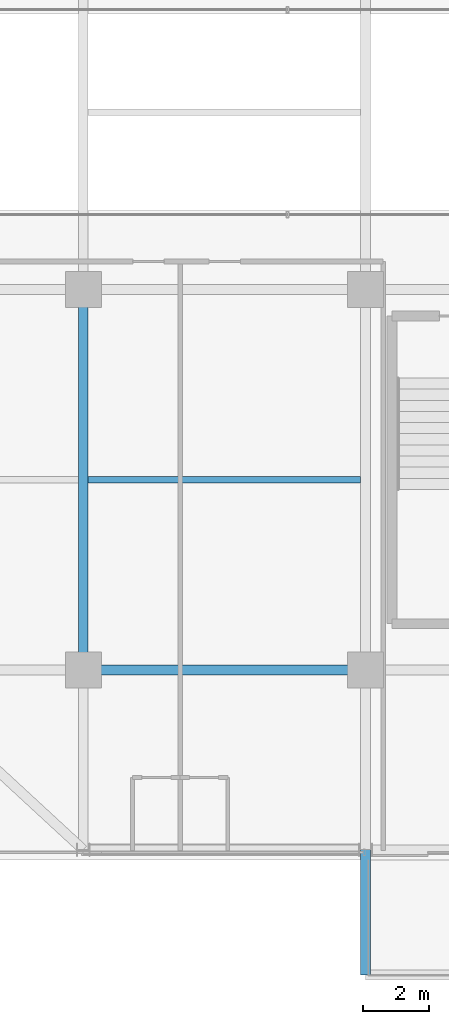
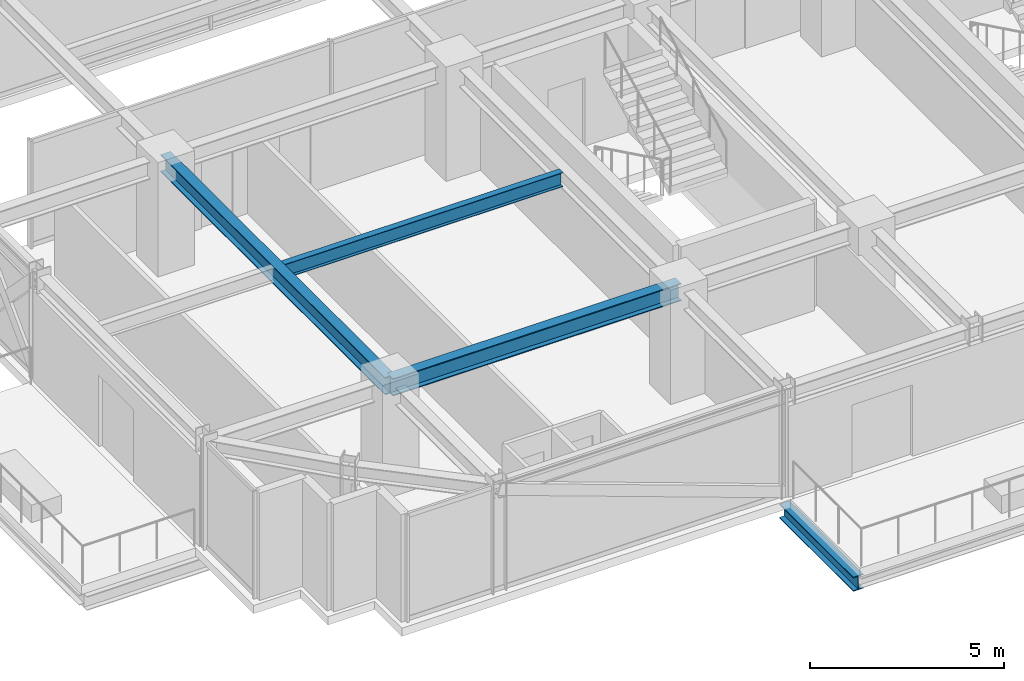
# One storey, part 4 of 35: 4 beams.
"""IFC4 building model written with IfcOpenShell, lengths in metres."""

from ifc_helpers import new_model, si_unit, direction, frame, origin, origin_2d, place, context, subcontext, project, spatial, i_section, extrude, source, transform, mapped, material, material_profile, profile_set, type_object, element, save


model = new_model("IFC4")

# Units and contexts
model_context = context("Model", 3, precision=1e-05, world=origin(), true_north=direction((0.0, 1.0)))
body_context = subcontext(model_context, "Body", "Model", "MODEL_VIEW")
ifc_project = project(units=[si_unit("LENGTHUNIT", "METRE"), si_unit("AREAUNIT", "SQUARE_METRE"), si_unit("VOLUMEUNIT", "CUBIC_METRE"), si_unit("PLANEANGLEUNIT", "RADIAN"), si_unit("MASSUNIT", "GRAM", prefix="KILO")], contexts=[model_context])

# Site, building, storey
site_placement = place(None, origin())
site = spatial("IfcSite", under=ifc_project, at=site_placement, CompositionType="ELEMENT")
building_placement = place(site_placement, origin())
building = spatial("IfcBuilding", under=site, at=building_placement, Name="Nahalor Promenade Grand Hotel", CompositionType="ELEMENT")
storey_placement = place(building_placement, frame((0.0, 0.0, 185.5)))
storey = spatial("IfcBuildingStorey", under=building, at=storey_placement, Name="L47", CompositionType="ELEMENT", Elevation=185.5)

# Beams
ifc_material = material(Name="Steel S355JR", Category="steel")
ifc_material_profile_1 = material_profile(ifc_material, i_section(OverallWidth=0.3, OverallDepth=0.45, WebThickness=0.014, FlangeThickness=0.026, at=origin_2d()), Name="HEB 450")
ifc_profile_set_1 = profile_set([ifc_material_profile_1], Name="Steel S355JR")
beam_type_1 = type_object("IfcBeamType", Name="Beam-Outrigger-HEB450", PredefinedType="BEAM", material=ifc_profile_set_1)
shared_shape_1 = source(origin(), body_context, "Body", "SweptSolid", [
    extrude(i_section(OverallWidth=0.3, OverallDepth=0.45, WebThickness=0.014, FlangeThickness=0.026, at=origin_2d()), origin(), (0.0, 0.0, 1.0), 3.820068359375),
])
beam_1_placement = place(storey_placement, frame((-8.39990234375, -26.300048828125, -0.5048828125), z_axis=(0.0, 1.0, 0.0), x_axis=(-1.0, 0.0, 0.0)))
element("IfcBeam", 1, at=beam_1_placement, inside=storey, type_object=beam_type_1, Name="BM-L47-BC-01-1", PredefinedType="BEAM", context=body_context, shape_type="MappedRepresentation", body=[
    mapped(shared_shape_1, transform((0.0, 0.0, 0.0), scale=1.0)),
])
ifc_material_profile_2 = material_profile(ifc_material, i_section(OverallWidth=0.3, OverallDepth=0.55, WebThickness=0.015, FlangeThickness=0.029, at=origin_2d()), Name="HEB 550")
ifc_profile_set_2 = profile_set([ifc_material_profile_2], Name="Steel S355JR")
beam_type_2 = type_object("IfcBeamType", Name="Beam-Girder-HEB550", PredefinedType="BEAM", material=ifc_profile_set_2)
shared_shape_2 = source(origin(), body_context, "Body", "SweptSolid", [
    extrude(i_section(OverallWidth=0.3, OverallDepth=0.55, WebThickness=0.015, FlangeThickness=0.029, at=origin_2d()), origin(), (0.0, 0.0, 1.0), 8.60009765625),
])
beam_2_placement = place(storey_placement, frame((-17.0, -17.0, 3.114990234375), z_axis=(1.0, 0.0, 0.0), x_axis=(0.0, 1.0, 0.0)))
element("IfcBeam", 2, at=beam_2_placement, inside=storey, type_object=beam_type_2, Name="BM-L47-GX-0-1", PredefinedType="BEAM", context=body_context, shape_type="MappedRepresentation", body=[
    mapped(shared_shape_2, transform((0.0, 0.0, 0.0), scale=1.0)),
])
shared_shape_3 = source(origin(), body_context, "Body", "SweptSolid", [
    extrude(i_section(OverallWidth=0.3, OverallDepth=0.55, WebThickness=0.015, FlangeThickness=0.029, at=origin_2d()), origin(), (0.0, 0.0, 1.0), 11.60009765625),
])
beam_3_placement = place(storey_placement, frame((-17.0, -17.0, 3.114990234375), z_axis=(0.0, 1.0, 0.0), x_axis=(-1.0, 0.0, 0.0)))
element("IfcBeam", 3, at=beam_3_placement, inside=storey, type_object=beam_type_2, Name="BM-L47-GY-0-1", PredefinedType="BEAM", context=body_context, shape_type="MappedRepresentation", body=[
    mapped(shared_shape_3, transform((0.0, 0.0, 0.0), scale=1.0)),
])
ifc_material_profile_3 = material_profile(ifc_material, i_section(OverallWidth=0.19, OverallDepth=0.45, WebThickness=0.0094, FlangeThickness=0.0146, at=origin_2d()), Name="IPE 450")
ifc_profile_set_3 = profile_set([ifc_material_profile_3], Name="Steel S355JR")
beam_type_3 = type_object("IfcBeamType", Name="Beam-Joist-IPE450", PredefinedType="JOIST", material=ifc_profile_set_3)
shared_shape_4 = source(origin(), body_context, "Body", "SweptSolid", [
    extrude(i_section(OverallWidth=0.19, OverallDepth=0.45, WebThickness=0.0094, FlangeThickness=0.0146, at=origin_2d()), origin(), (0.0, 0.0, 1.0), 8.300048828125),
])
beam_4_placement = place(storey_placement, frame((-16.85009765625, -11.199951171875, 3.1650390625), z_axis=(1.0, 0.0, 0.0), x_axis=(0.0, 1.0, 0.0)))
element("IfcBeam", 4, at=beam_4_placement, inside=storey, type_object=beam_type_3, Name="BM-L47-JSW-0-1", PredefinedType="JOIST", context=body_context, shape_type="MappedRepresentation", body=[
    mapped(shared_shape_4, transform((0.0, 0.0, 0.0), scale=1.0)),
])

save(model, "model.ifc")
